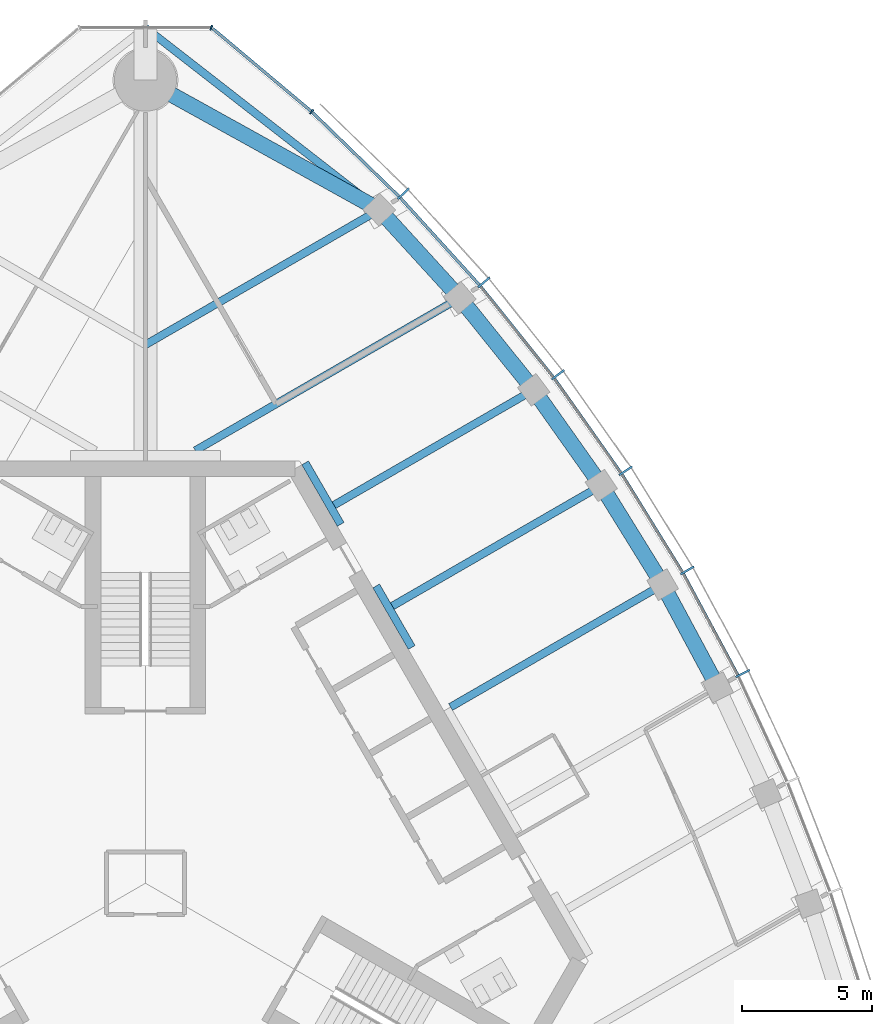
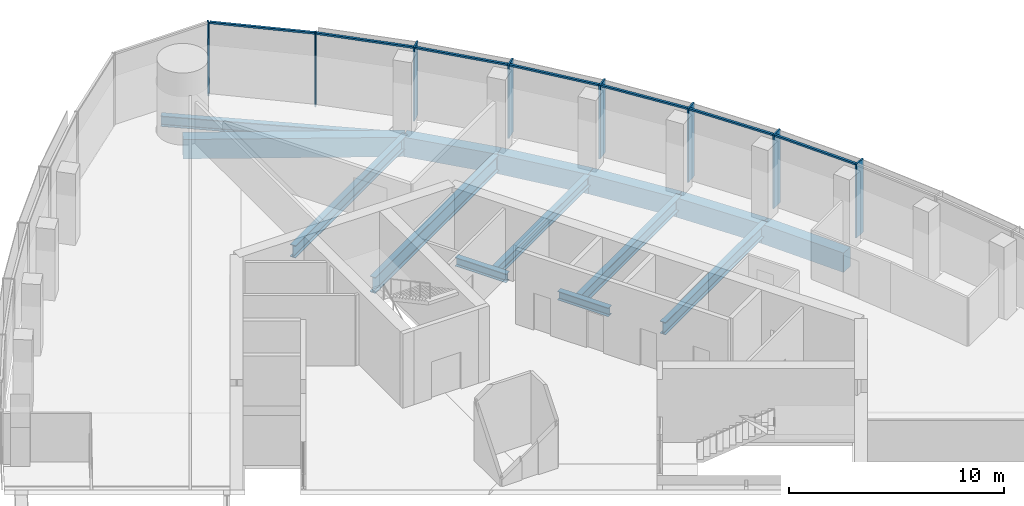
# One storey, part 6 of 16: 15 members, 14 beams, 2 elements without a shape of their own.
"""IFC4 building model written with IfcOpenShell, lengths in metres."""

from ifc_helpers import new_model, si_unit, direction, frame, origin, origin_2d, place, context, subcontext, project, spatial, rectangle, i_section, extrude, material, material_profile, profile_set, type_object, element, aggregate, save


model = new_model("IFC4")

# Units and contexts
model_context = context("Model", 3, precision=1e-05, world=origin(), true_north=direction((0.0, 1.0)))
body_context = subcontext(model_context, "Body", "Model", "MODEL_VIEW")
ifc_project = project(units=[si_unit("LENGTHUNIT", "METRE"), si_unit("AREAUNIT", "SQUARE_METRE"), si_unit("VOLUMEUNIT", "CUBIC_METRE"), si_unit("PLANEANGLEUNIT", "RADIAN"), si_unit("MASSUNIT", "GRAM", prefix="KILO")], contexts=[model_context])

# Site, building, storey
site_placement = place(None, origin())
site = spatial("IfcSite", under=ifc_project, at=site_placement, CompositionType="ELEMENT")
building_placement = place(site_placement, origin())
building = spatial("IfcBuilding", under=site, at=building_placement, Name="Trefoil Bronze Tower", CompositionType="ELEMENT")
storey_placement = place(building_placement, frame((0.0, 0.0, 309.89990234375)))
storey = spatial("IfcBuildingStorey", under=building, at=storey_placement, Name="L71", CompositionType="ELEMENT", Elevation=309.89990234375)

# Curtain wall, members
ifc_material_1 = material(Name="Tinted solar-control glass", Category="glass")
curtain_wall_type_1 = type_object("IfcCurtainWallType", Name="Bronze office curtain wall", PredefinedType="USERDEFINED", material=ifc_material_1)
curtain_wall_1_placement = place(storey_placement, origin())
curtain_wall_1 = element("IfcCurtainWall", 1, at=curtain_wall_1_placement, inside=storey, type_object=curtain_wall_type_1, Name="CW-A L71 F2", ObjectType="CURTAIN WALL", PredefinedType="USERDEFINED")
ifc_material_2 = material(Name="Bronze-finish aluminium", Category="aluminium")
ifc_material_profile_1 = material_profile(ifc_material_2, rectangle(XDim=0.60009765625, YDim=0.080078125, at=origin_2d()), Name="CW-A mullion")
ifc_profile_set_1 = profile_set([ifc_material_profile_1], Name="Bronze-finish aluminium")
member_type_1 = type_object("IfcMemberType", Name="Bronze office curtain wall mullion", PredefinedType="MULLION", material=ifc_profile_set_1)
member_1_placement = place(storey_placement, frame((23.056396484375, 8.094482421875, 0.0), z_axis=(0.0, 0.0, 1.0), x_axis=(-0.894713198289, -0.44664112306, 0.0)))
member_1 = element("IfcMember", 2, at=member_1_placement, type_object=member_type_1, Name="CW-A L71 F2 mullion 5", PredefinedType="MULLION", context=body_context, shape_type="SweptSolid", body=[
    extrude(rectangle(XDim=0.60009765625, YDim=0.080078125, at=origin_2d()), origin(), (0.0, 0.0, 1.0), 4.18017578125),
])
member_2_placement = place(storey_placement, frame((20.916015625, 12.07568359375, 0.0), z_axis=(0.0, 0.0, 1.0), x_axis=(-0.866025403784, -0.5, 0.0)))
member_2 = element("IfcMember", 3, at=member_2_placement, type_object=member_type_1, Name="CW-A L71 F2 mullion 6", PredefinedType="MULLION", context=body_context, shape_type="SweptSolid", body=[
    extrude(rectangle(XDim=0.60009765625, YDim=0.080078125, at=origin_2d()), origin(), (0.0, 0.0, 1.0), 4.18017578125),
])
member_3_placement = place(storey_placement, frame((18.538330078125, 15.920166015625, 0.0), z_axis=(0.0, 0.0, 1.0), x_axis=(-0.834159158089, -0.551523797289, 0.0)))
member_3 = element("IfcMember", 4, at=member_3_placement, type_object=member_type_1, Name="CW-A L71 F2 mullion 7", PredefinedType="MULLION", context=body_context, shape_type="SweptSolid", body=[
    extrude(rectangle(XDim=0.60009765625, YDim=0.080078125, at=origin_2d()), origin(), (0.0, 0.0, 1.0), 4.18017578125),
])
member_4_placement = place(storey_placement, frame((15.922607421875, 19.627197265625, 0.0), z_axis=(0.0, 0.0, 1.0), x_axis=(-0.799096076136, -0.601203344222, 0.0)))
member_4 = element("IfcMember", 5, at=member_4_placement, type_object=member_type_1, Name="CW-A L71 F2 mullion 8", PredefinedType="MULLION", context=body_context, shape_type="SweptSolid", body=[
    extrude(rectangle(XDim=0.60009765625, YDim=0.080078125, at=origin_2d()), origin(), (0.0, 0.0, 1.0), 4.18017578125),
])
member_5_placement = place(storey_placement, frame((13.064453125, 23.194091796875, 0.0), z_axis=(0.0, 0.0, 1.0), x_axis=(-0.760781190165, -0.649008459646, 0.0)))
member_5 = element("IfcMember", 6, at=member_5_placement, type_object=member_type_1, Name="CW-A L71 F2 mullion 9", PredefinedType="MULLION", context=body_context, shape_type="SweptSolid", body=[
    extrude(rectangle(XDim=0.60009765625, YDim=0.080078125, at=origin_2d()), origin(), (0.0, 0.0, 1.0), 4.18017578125),
])
member_6_placement = place(storey_placement, frame((9.957275390625, 26.617431640625, 0.0), z_axis=(0.0, 0.0, 1.0), x_axis=(-0.719001349715, -0.695008675564, 0.0)))
member_6 = element("IfcMember", 7, at=member_6_placement, type_object=member_type_1, Name="CW-A L71 F2 mullion 10", PredefinedType="MULLION", context=body_context, shape_type="SweptSolid", body=[
    extrude(rectangle(XDim=0.60009765625, YDim=0.080078125, at=origin_2d()), origin(), (0.0, 0.0, 1.0), 4.18017578125),
])
ifc_material_3 = material(Name="Bronze-finish aluminium", Category="aluminium")
ifc_material_profile_2 = material_profile(ifc_material_3, rectangle(XDim=0.1201171875, YDim=0.10009765625, at=origin_2d()), Name="CW-A transom")
ifc_profile_set_2 = profile_set([ifc_material_profile_2], Name="Bronze-finish aluminium")
member_type_2 = type_object("IfcMemberType", Name="Bronze office curtain wall transom", PredefinedType="USERDEFINED", material=ifc_profile_set_2)
member_7_placement = place(storey_placement, frame((22.857177734375, 8.043212890625, 4.130126953125), z_axis=(-0.473540024981, 0.880772300167, 0.0), x_axis=(-0.880772300167, -0.473540024981, 0.0)))
member_7 = element("IfcMember", 8, at=member_7_placement, type_object=member_type_2, Name="CW-A L71 F2 transom 5", ObjectType="TRANSOM", PredefinedType="USERDEFINED", context=body_context, shape_type="SweptSolid", body=[
    extrude(rectangle(XDim=0.1201171875, YDim=0.10009765625, at=origin_2d()), origin(), (0.0, 0.0, 1.0), 4.422119140625),
])
member_8_placement = place(storey_placement, frame((20.72021484375, 12.012451171875, 4.130126953125), z_axis=(-0.525978235299, 0.850498028212, 0.0), x_axis=(-0.850498028212, -0.525978235299, 0.0)))
member_8 = element("IfcMember", 9, at=member_8_placement, type_object=member_type_2, Name="CW-A L71 F2 transom 6", ObjectType="TRANSOM", PredefinedType="USERDEFINED", context=body_context, shape_type="SweptSolid", body=[
    extrude(rectangle(XDim=0.1201171875, YDim=0.10009765625, at=origin_2d()), origin(), (0.0, 0.0, 1.0), 4.422119140625),
])
member_9_placement = place(storey_placement, frame((18.3466796875, 15.84521484375, 4.130126953125), z_axis=(-0.5765665752, 0.817050172488, 0.0), x_axis=(-0.817050172488, -0.5765665752, 0.0)))
member_9 = element("IfcMember", 10, at=member_9_placement, type_object=member_type_2, Name="CW-A L71 F2 transom 7", ObjectType="TRANSOM", PredefinedType="USERDEFINED", context=body_context, shape_type="SweptSolid", body=[
    extrude(rectangle(XDim=0.1201171875, YDim=0.10009765625, at=origin_2d()), origin(), (0.0, 0.0, 1.0), 4.4384765625),
])
member_10_placement = place(storey_placement, frame((15.73583984375, 19.54052734375, 4.130126953125), z_axis=(-0.625300648488, 0.780383943325, 0.0), x_axis=(-0.780383943325, -0.625300648488, 0.0)))
member_10 = element("IfcMember", 11, at=member_10_placement, type_object=member_type_2, Name="CW-A L71 F2 transom 8", ObjectType="TRANSOM", PredefinedType="USERDEFINED", context=body_context, shape_type="SweptSolid", body=[
    extrude(rectangle(XDim=0.1201171875, YDim=0.10009765625, at=origin_2d()), origin(), (0.0, 0.0, 1.0), 4.472412109375),
])
member_11_placement = place(storey_placement, frame((12.88330078125, 23.09619140625, 4.130126953125), z_axis=(-0.672068269674, 0.740489190264, 0.0), x_axis=(-0.740489190264, -0.672068269674, 0.0)))
member_11 = element("IfcMember", 12, at=member_11_placement, type_object=member_type_2, Name="CW-A L71 F2 transom 9", ObjectType="TRANSOM", PredefinedType="USERDEFINED", context=body_context, shape_type="SweptSolid", body=[
    extrude(rectangle(XDim=0.1201171875, YDim=0.10009765625, at=origin_2d()), origin(), (0.0, 0.0, 1.0), 4.5244140625),
])
member_12_placement = place(storey_placement, frame((9.782470703125, 26.508544921875, 4.130126953125), z_axis=(-0.717224617883, 0.696842053484, 0.0), x_axis=(-0.696842053484, -0.717224617883, 0.0)))
member_12 = element("IfcMember", 13, at=member_12_placement, type_object=member_type_2, Name="CW-A L71 F2 transom 10", ObjectType="TRANSOM", PredefinedType="USERDEFINED", context=body_context, shape_type="SweptSolid", body=[
    extrude(rectangle(XDim=0.1201171875, YDim=0.10009765625, at=origin_2d()), origin(), (0.0, 0.0, 1.0), 4.6474609375),
])
aggregate(curtain_wall_1, [member_1, member_2, member_3, member_4, member_5, member_6, member_7, member_8, member_9, member_10, member_11, member_12])

ifc_material_4 = material(Name="Tinted solar-control glass", Category="glass")
curtain_wall_type_2 = type_object("IfcCurtainWallType", Name="Bronze rounded corner curtain wall", PredefinedType="USERDEFINED", material=ifc_material_4)
curtain_wall_2_placement = place(storey_placement, origin())
curtain_wall_2 = element("IfcCurtainWall", 14, at=curtain_wall_2_placement, inside=storey, type_object=curtain_wall_type_2, Name="CW-B L71 K2", ObjectType="CURTAIN WALL", PredefinedType="USERDEFINED")
ifc_material_5 = material(Name="Bronze-finish aluminium", Category="aluminium")
ifc_material_profile_3 = material_profile(ifc_material_5, rectangle(XDim=0.199951171875, YDim=0.06005859375, at=origin_2d()), Name="CW-B mullion")
ifc_profile_set_3 = profile_set([ifc_material_profile_3], Name="Bronze-finish aluminium")
member_type_3 = type_object("IfcMemberType", Name="Bronze rounded corner curtain wall mullion", PredefinedType="MULLION", material=ifc_profile_set_3)
member_13_placement = place(storey_placement, frame((6.4150390625, 29.77978515625, 0.0), z_axis=(0.0, 0.0, 1.0), x_axis=(-0.642787609687, -0.766044443119, 0.0)))
member_13 = element("IfcMember", 15, at=member_13_placement, type_object=member_type_3, Name="CW-B L71 K2 mullion 1", PredefinedType="MULLION", context=body_context, shape_type="SweptSolid", body=[
    extrude(rectangle(XDim=0.199951171875, YDim=0.06005859375, at=origin_2d()), origin(), (0.0, 0.0, 1.0), 4.18017578125),
])
member_14_placement = place(storey_placement, frame((2.542236328125, 33.021484375, 0.0), z_axis=(0.0, 0.0, 1.0), x_axis=(-0.342020143326, -0.939692620786, 0.0)))
member_14 = element("IfcMember", 16, at=member_14_placement, type_object=member_type_3, Name="CW-B L71 K2 mullion 2", PredefinedType="MULLION", context=body_context, shape_type="SweptSolid", body=[
    extrude(rectangle(XDim=0.199951171875, YDim=0.06005859375, at=origin_2d()), origin(), (0.0, 0.0, 1.0), 4.18017578125),
])
ifc_material_6 = material(Name="Bronze-finish aluminium", Category="aluminium")
ifc_material_profile_4 = material_profile(ifc_material_6, rectangle(XDim=0.1201171875, YDim=0.10009765625, at=origin_2d()), Name="CW-B transom")
ifc_profile_set_4 = profile_set([ifc_material_profile_4], Name="Bronze-finish aluminium")
member_type_4 = type_object("IfcMemberType", Name="Bronze rounded corner curtain wall transom", PredefinedType="USERDEFINED", material=ifc_profile_set_4)
member_15_placement = place(storey_placement, frame((6.39208984375, 29.799072265625, 4.130126953125), z_axis=(-0.766040522511, 0.642792282056, 0.0), x_axis=(-0.642792282056, -0.766040522511, 0.0)))
member_15 = element("IfcMember", 17, at=member_15_placement, type_object=member_type_4, Name="CW-B L71 K2 transom 1", ObjectType="TRANSOM", PredefinedType="USERDEFINED", context=body_context, shape_type="SweptSolid", body=[
    extrude(rectangle(XDim=0.1201171875, YDim=0.10009765625, at=origin_2d()), origin(), (0.0, 0.0, 1.0), 4.9560546875),
])
aggregate(curtain_wall_2, [member_13, member_14, member_15])

# Beams
ifc_material_7 = material(Name="Steel C355", Category="steel")
ifc_material_profile_5 = material_profile(ifc_material_7, i_section(OverallWidth=0.300048828125, OverallDepth=0.5, WebThickness=0.014404296875, FlangeThickness=0.028076171875, FilletRadius=0.027099609375, at=origin_2d()), Name="HEB 500")
ifc_profile_set_5 = profile_set([ifc_material_profile_5], Name="Steel C355")
beam_type_1 = type_object("IfcBeamType", Name="Core seat beam HEB 500", PredefinedType="BEAM", material=ifc_profile_set_5)
for number, where, z_axis, x_axis, name in (
    (18, (10.27685546875, 9.10009765625, -0.449951171875), (-0.500035825175, 0.866004719122, 0.0), (-0.866004719122, -0.500035825175, 0.0), "Core seat beam F2/+1 L71"),
    (19, (7.534423828125, 13.85009765625, -0.449951171875), (-0.499969057507, 0.866043267704, 0.0), (-0.866043267704, -0.499969057507, 0.0), "Core seat beam F2/+2 L71"),
):
    element("IfcBeam", number, at=place(storey_placement, frame(where, z_axis=z_axis, x_axis=x_axis)), inside=storey, type_object=beam_type_1, Name=name, PredefinedType="BEAM", context=body_context, shape_type="SweptSolid", body=[
        extrude(i_section(OverallWidth=0.300048828125, OverallDepth=0.5, WebThickness=0.014404296875, FlangeThickness=0.028076171875, FilletRadius=0.027099609375, at=origin_2d()), origin(), (0.0, 0.0, 1.0), 2.742431640625),
    ])
ifc_material_8 = material(Name="Steel C355", Category="steel")
ifc_material_profile_6 = material_profile(ifc_material_8, i_section(OverallWidth=0.300048828125, OverallDepth=0.60009765625, WebThickness=0.015380859375, FlangeThickness=0.030029296875, FilletRadius=0.027099609375, at=origin_2d()), Name="HEB 600")
ifc_profile_set_6 = profile_set([ifc_material_profile_6], Name="Steel C355")
beam_type_2 = type_object("IfcBeamType", Name="Corner edge beam HEB 600", PredefinedType="BEAM", material=ifc_profile_set_6)
beam_1_placement = place(storey_placement, frame((9.02734375, 25.99658203125, -0.5), z_axis=(-0.789270604977, 0.614045529354, 0.0), x_axis=(-0.614045529354, -0.789270604977, 0.0)))
element("IfcBeam", 20, at=beam_1_placement, inside=storey, type_object=beam_type_2, Name="Corner edge beam F2A L71", PredefinedType="BEAM", context=body_context, shape_type="SweptSolid", body=[
    extrude(i_section(OverallWidth=0.300048828125, OverallDepth=0.60009765625, WebThickness=0.015380859375, FlangeThickness=0.030029296875, FilletRadius=0.027099609375, at=origin_2d()), origin(), (0.0, 0.0, 1.0), 11.4375),
])
ifc_material_9 = material(Name="Concrete B80", Category="concrete")
ifc_material_profile_7 = material_profile(ifc_material_9, rectangle(XDim=0.60009765625, YDim=1.10009765625, at=origin_2d()), Name="RC 600x1100")
ifc_profile_set_7 = profile_set([ifc_material_profile_7], Name="Concrete B80")
beam_type_3 = type_object("IfcBeamType", Name="End spandrel beam RC 600x1100", PredefinedType="SPANDREL", material=ifc_profile_set_7)
beam_2_placement = place(storey_placement, frame((9.02734375, 25.99658203125, -0.75), z_axis=(-0.874641085074, 0.484771051426, 0.0), x_axis=(-0.484771051426, -0.874641085074, 0.0)))
element("IfcBeam", 21, at=beam_2_placement, inside=storey, type_object=beam_type_3, Name="Spandrel F2.10 L71", PredefinedType="SPANDREL", context=body_context, shape_type="SweptSolid", body=[
    extrude(rectangle(XDim=0.60009765625, YDim=1.10009765625, at=origin_2d()), origin(), (0.0, 0.0, 1.0), 10.3212890625),
])
ifc_material_10 = material(Name="Steel C355", Category="steel")
ifc_material_profile_8 = material_profile(ifc_material_10, i_section(OverallWidth=0.300048828125, OverallDepth=0.60009765625, WebThickness=0.015380859375, FlangeThickness=0.030029296875, FilletRadius=0.027099609375, at=origin_2d()), Name="HEB 600")
ifc_profile_set_8 = profile_set([ifc_material_profile_8], Name="Steel C355")
beam_type_4 = type_object("IfcBeamType", Name="Floor beam HEB 600", PredefinedType="BEAM", material=ifc_profile_set_8)
beam_3_placement = place(storey_placement, frame((14.98486328125, 19.043701171875, -0.5), z_axis=(-0.866034827411, -0.499983677445, 0.0), x_axis=(0.499983677445, -0.866034827411, 0.0)))
element("IfcBeam", 22, at=beam_3_placement, inside=storey, type_object=beam_type_4, Name="Floor beam F2/+2 L71", PredefinedType="BEAM", context=body_context, shape_type="SweptSolid", body=[
    extrude(i_section(OverallWidth=0.300048828125, OverallDepth=0.60009765625, WebThickness=0.015380859375, FlangeThickness=0.030029296875, FilletRadius=0.027099609375, at=origin_2d()), origin(), (0.0, 0.0, 1.0), 8.899169921875),
])
ifc_material_11 = material(Name="Steel C355", Category="steel")
ifc_material_profile_9 = material_profile(ifc_material_11, i_section(OverallWidth=0.300048828125, OverallDepth=0.699951171875, WebThickness=0.01708984375, FlangeThickness=0.031982421875, FilletRadius=0.027099609375, at=origin_2d()), Name="HEB 700")
ifc_profile_set_9 = profile_set([ifc_material_profile_9], Name="Steel C355")
beam_type_5 = type_object("IfcBeamType", Name="Floor beam HEB 700", PredefinedType="BEAM", material=ifc_profile_set_9)
beam_4_placement = place(storey_placement, frame((19.96337890625, 11.52587890625, -0.5498046875), z_axis=(-0.866029875693, -0.499992254348, 0.0), x_axis=(0.499992254348, -0.866029875693, 0.0)))
element("IfcBeam", 23, at=beam_4_placement, inside=storey, type_object=beam_type_5, Name="Floor beam F2/+0 L71", PredefinedType="BEAM", context=body_context, shape_type="SweptSolid", body=[
    extrude(i_section(OverallWidth=0.300048828125, OverallDepth=0.699951171875, WebThickness=0.01708984375, FlangeThickness=0.031982421875, FilletRadius=0.027099609375, at=origin_2d()), origin(), (0.0, 0.0, 1.0), 9.451904296875),
])
beam_5_placement = place(storey_placement, frame((17.593994140625, 15.35400390625, -0.5498046875), z_axis=(-0.866026261222, -0.499998514871, 0.0), x_axis=(0.499998514871, -0.866026261222, 0.0)))
element("IfcBeam", 24, at=beam_5_placement, inside=storey, type_object=beam_type_5, Name="Floor beam F2/+1 L71", PredefinedType="BEAM", context=body_context, shape_type="SweptSolid", body=[
    extrude(i_section(OverallWidth=0.300048828125, OverallDepth=0.699951171875, WebThickness=0.01708984375, FlangeThickness=0.031982421875, FilletRadius=0.027099609375, at=origin_2d()), origin(), (0.0, 0.0, 1.0), 9.31396484375),
])
beam_6_placement = place(storey_placement, frame((9.02734375, 25.99658203125, -0.5498046875), z_axis=(-0.866026453994, -0.499998180979, 0.0), x_axis=(0.499998180979, -0.866026453994, 0.0)))
element("IfcBeam", 25, at=beam_6_placement, inside=storey, type_object=beam_type_5, Name="Floor beam F2/+4 L71", PredefinedType="BEAM", context=body_context, shape_type="SweptSolid", body=[
    extrude(i_section(OverallWidth=0.300048828125, OverallDepth=0.699951171875, WebThickness=0.01708984375, FlangeThickness=0.031982421875, FilletRadius=0.027099609375, at=origin_2d()), origin(), (0.0, 0.0, 1.0), 10.423828125),
])
ifc_material_12 = material(Name="Steel C355", Category="steel")
ifc_material_profile_10 = material_profile(ifc_material_12, i_section(OverallWidth=0.300048828125, OverallDepth=0.89990234375, WebThickness=0.0185546875, FlangeThickness=0.034912109375, FilletRadius=0.030029296875, at=origin_2d()), Name="HEB 900")
ifc_profile_set_10 = profile_set([ifc_material_profile_10], Name="Steel C355")
beam_type_6 = type_object("IfcBeamType", Name="Floor beam HEB 900", PredefinedType="BEAM", material=ifc_profile_set_10)
beam_7_placement = place(storey_placement, frame((12.131591796875, 22.5927734375, -0.64990234375), z_axis=(-0.866017581749, -0.500013547917, 0.0), x_axis=(0.500013547917, -0.866017581749, 0.0)))
element("IfcBeam", 26, at=beam_7_placement, inside=storey, type_object=beam_type_6, Name="Floor beam F2/+3 L71", PredefinedType="BEAM", context=body_context, shape_type="SweptSolid", body=[
    extrude(i_section(OverallWidth=0.300048828125, OverallDepth=0.89990234375, WebThickness=0.0185546875, FlangeThickness=0.034912109375, FilletRadius=0.030029296875, at=origin_2d()), origin(), (0.0, 0.0, 1.0), 11.785400390625),
])
ifc_material_13 = material(Name="Concrete B80", Category="concrete")
ifc_material_profile_11 = material_profile(ifc_material_13, rectangle(XDim=0.60009765625, YDim=1.10009765625, at=origin_2d()), Name="RC 600x1100")
ifc_profile_set_11 = profile_set([ifc_material_profile_11], Name="Concrete B80")
beam_type_7 = type_object("IfcBeamType", Name="Spandrel beam RC 600x1100", PredefinedType="SPANDREL", material=ifc_profile_set_11)
beam_8_placement = place(storey_placement, frame((22.093994140625, 7.559814453125, -0.75), z_axis=(-0.473245885676, 0.880930378458, 0.0), x_axis=(-0.880930378458, -0.473245885676, 0.0)))
element("IfcBeam", 27, at=beam_8_placement, inside=storey, type_object=beam_type_7, Name="Spandrel F2.5 L71", PredefinedType="SPANDREL", context=body_context, shape_type="SweptSolid", body=[
    extrude(rectangle(XDim=0.60009765625, YDim=1.10009765625, at=origin_2d()), origin(), (0.0, 0.0, 1.0), 4.502197265625),
])
beam_9_placement = place(storey_placement, frame((19.96337890625, 11.52587890625, -0.75), z_axis=(-0.526289271956, 0.850305593433, 0.0), x_axis=(-0.850305593433, -0.526289271956, 0.0)))
element("IfcBeam", 28, at=beam_9_placement, inside=storey, type_object=beam_type_7, Name="Spandrel F2.6 L71", PredefinedType="SPANDREL", context=body_context, shape_type="SweptSolid", body=[
    extrude(rectangle(XDim=0.60009765625, YDim=1.10009765625, at=origin_2d()), origin(), (0.0, 0.0, 1.0), 4.501953125),
])
beam_10_placement = place(storey_placement, frame((17.593994140625, 15.35400390625, -0.75), z_axis=(-0.577368105169, 0.816483968693, 0.0), x_axis=(-0.816483968693, -0.577368105169, 0.0)))
element("IfcBeam", 29, at=beam_10_placement, inside=storey, type_object=beam_type_7, Name="Spandrel F2.7 L71", PredefinedType="SPANDREL", context=body_context, shape_type="SweptSolid", body=[
    extrude(rectangle(XDim=0.60009765625, YDim=1.10009765625, at=origin_2d()), origin(), (0.0, 0.0, 1.0), 4.51904296875),
])
beam_11_placement = place(storey_placement, frame((14.98486328125, 19.043701171875, -0.75), z_axis=(-0.626569682592, 0.779365403939, 0.0), x_axis=(-0.779365403939, -0.626569682592, 0.0)))
element("IfcBeam", 30, at=beam_11_placement, inside=storey, type_object=beam_type_7, Name="Spandrel F2.8 L71", PredefinedType="SPANDREL", context=body_context, shape_type="SweptSolid", body=[
    extrude(rectangle(XDim=0.60009765625, YDim=1.10009765625, at=origin_2d()), origin(), (0.0, 0.0, 1.0), 4.5537109375),
])
beam_12_placement = place(storey_placement, frame((12.131591796875, 22.5927734375, -0.75), z_axis=(-0.673845775847, 0.738872025707, 0.0), x_axis=(-0.738872025707, -0.673845775847, 0.0)))
element("IfcBeam", 31, at=beam_12_placement, inside=storey, type_object=beam_type_7, Name="Spandrel F2.9 L71", PredefinedType="SPANDREL", context=body_context, shape_type="SweptSolid", body=[
    extrude(rectangle(XDim=0.60009765625, YDim=1.10009765625, at=origin_2d()), origin(), (0.0, 0.0, 1.0), 4.606689453125),
])

save(model, "model.ifc")
